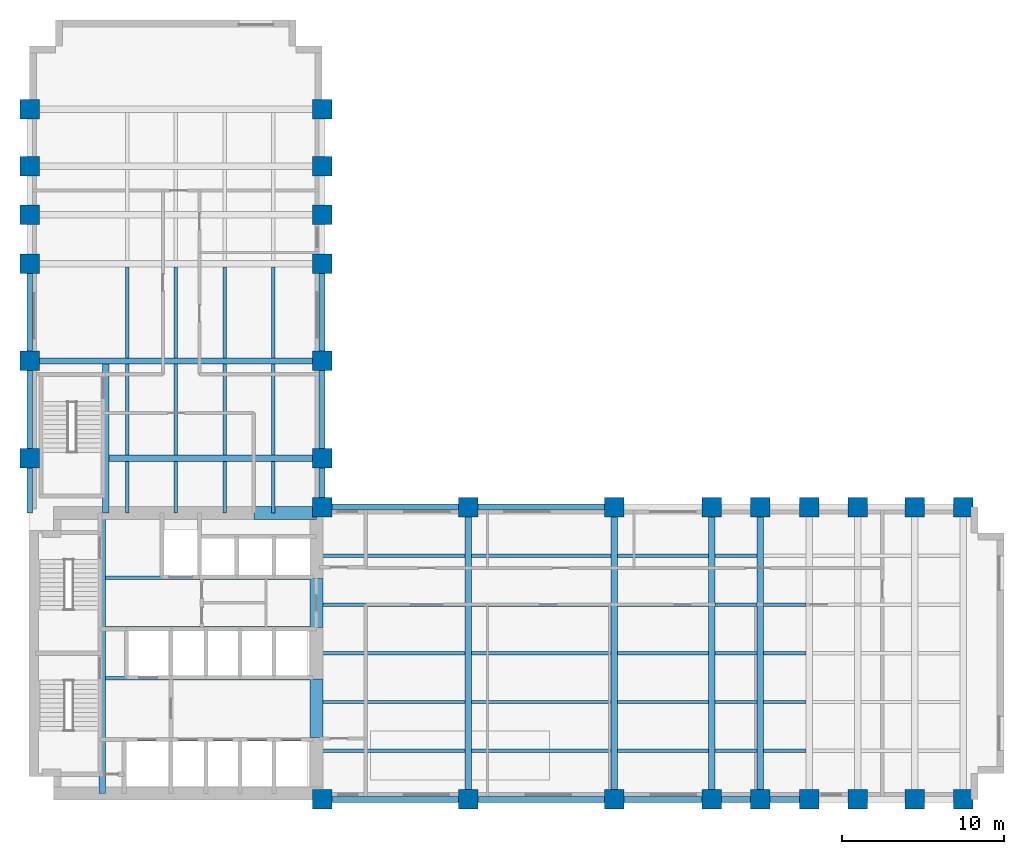
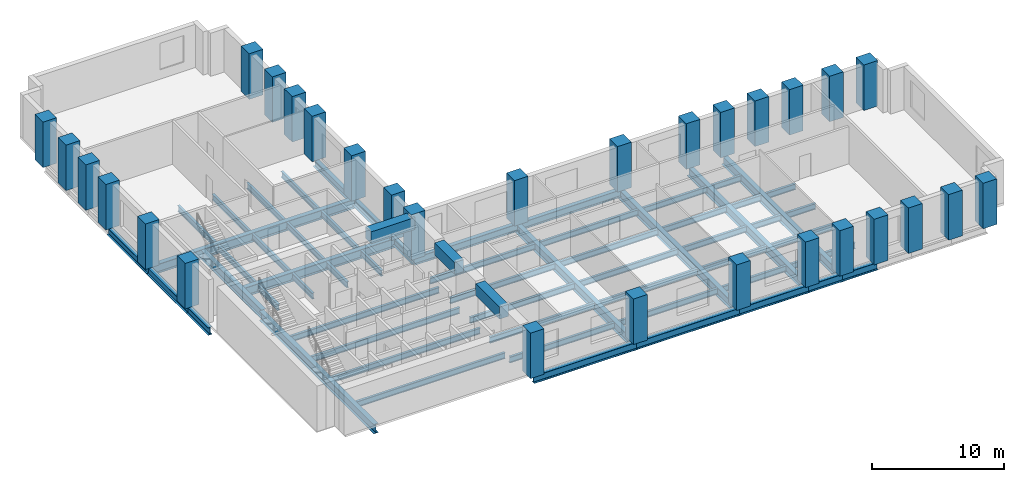
# One storey, part 1 of 7: 64 beams, 30 columns.
"""IFC4 building model written with IfcOpenShell, lengths in metres."""

from ifc_helpers import new_model, si_unit, direction, frame, origin, origin_2d, place, context, subcontext, project, spatial, rectangle, i_section, extrude, material, material_profile, profile_set, type_object, element, save


model = new_model("IFC4")

# Units and contexts
model_context = context("Model", 3, precision=1e-05, world=origin(), true_north=direction((0.0, 1.0)))
body_context = subcontext(model_context, "Body", "Model", "MODEL_VIEW")
ifc_project = project(units=[si_unit("LENGTHUNIT", "METRE"), si_unit("AREAUNIT", "SQUARE_METRE"), si_unit("VOLUMEUNIT", "CUBIC_METRE"), si_unit("PLANEANGLEUNIT", "RADIAN"), si_unit("MASSUNIT", "GRAM", prefix="KILO")], contexts=[model_context])

# Site, building, storey
site_placement = place(None, origin())
site = spatial("IfcSite", under=ifc_project, at=site_placement, CompositionType="ELEMENT")
building_placement = place(site_placement, origin())
building = spatial("IfcBuilding", under=site, at=building_placement, Name="Mawjdan Bourse Tower", CompositionType="ELEMENT")
storey_placement = place(building_placement, frame((0.0, 0.0, 67.800048828125)))
storey = spatial("IfcBuildingStorey", under=building, at=storey_placement, Name="L15", CompositionType="ELEMENT", Elevation=67.800048828125)

# Columns
ifc_material_1 = material(Name="Concrete C80/95", Category="concrete")
ifc_material_profile_1 = material_profile(ifc_material_1, rectangle(XDim=1.199951171875, YDim=1.199951171875, at=origin_2d()), Name="RC1200X1200")
ifc_profile_set_1 = profile_set([ifc_material_profile_1], Name="Concrete C80/95")
column_type = type_object("IfcColumnType", Name="COL-RC1200X1200", PredefinedType="COLUMN", material=ifc_profile_set_1)
for number, where, z_axis, x_axis, name in (
    (1, (24.0, 3.0, 0.0), (0.0, 0.0, 1.0), (1.0, 0.0, 0.0), "L15 Structural Column C-X240-Y30"),
    (2, (24.0, 21.0, 0.0), (0.0, 0.0, 1.0), (1.0, 0.0, 0.0), "L15 Structural Column C-X240-Y210"),
    (3, (33.0, 3.0, 0.0), (0.0, 0.0, 1.0), (1.0, 0.0, 0.0), "L15 Structural Column C-X330-Y30"),
    (4, (33.0, 21.0, 0.0), (0.0, 0.0, 1.0), (1.0, 0.0, 0.0), "L15 Structural Column C-X330-Y210"),
    (5, (42.0, 3.0, 0.0), (0.0, 0.0, 1.0), (1.0, 0.0, 0.0), "L15 Structural Column C-X420-Y30"),
    (6, (42.0, 21.0, 0.0), (0.0, 0.0, 1.0), (1.0, 0.0, 0.0), "L15 Structural Column C-X420-Y210"),
    (7, (48.0, 3.0, 0.0), (0.0, 0.0, 1.0), (1.0, 0.0, 0.0), "L15 Structural Column C-X480-Y30"),
    (8, (48.0, 21.0, 0.0), (0.0, 0.0, 1.0), (1.0, 0.0, 0.0), "L15 Structural Column C-X480-Y210"),
    (9, (51.0, 3.0, 0.0), (0.0, 0.0, 1.0), (1.0, 0.0, 0.0), "L15 Structural Column C-X510-Y30"),
    (10, (51.0, 21.0, 0.0), (0.0, 0.0, 1.0), (1.0, 0.0, 0.0), "L15 Structural Column C-X510-Y210"),
    (11, (54.0, 3.0, 0.0), (0.0, 0.0, 1.0), (1.0, 0.0, 0.0), "L15 Structural Column C-X540-Y30"),
    (12, (54.0, 21.0, 0.0), (0.0, 0.0, 1.0), (1.0, 0.0, 0.0), "L15 Structural Column C-X540-Y210"),
    (13, (57.0, 3.0, 0.0), (0.0, 0.0, 1.0), (1.0, 0.0, 0.0), "L15 Structural Column C-X570-Y30"),
    (14, (57.0, 21.0, 0.0), (0.0, 0.0, 1.0), (1.0, 0.0, 0.0), "L15 Structural Column C-X570-Y210"),
    (15, (60.5, 3.0, 0.0), (0.0, 0.0, 1.0), (1.0, 0.0, 0.0), "L15 Structural Column C-X605-Y30"),
    (16, (60.5, 21.0, 0.0), (0.0, 0.0, 1.0), (1.0, 0.0, 0.0), "L15 Structural Column C-X605-Y210"),
    (17, (63.5, 3.0, 0.0), (0.0, 0.0, 1.0), (1.0, 0.0, 0.0), "L15 Structural Column C-X635-Y30"),
    (18, (63.5, 21.0, 0.0), (0.0, 0.0, 1.0), (1.0, 0.0, 0.0), "L15 Structural Column C-X635-Y210"),
    (19, (6.0, 24.0, 0.0), (0.0, 0.0, 1.0), (1.0, 0.0, 0.0), "L15 Structural Column C-X60-Y240"),
    (20, (24.0, 24.0, 0.0), (0.0, 0.0, 1.0), (1.0, 0.0, 0.0), "L15 Structural Column C-X240-Y240"),
    (21, (6.0, 30.0, 0.0), (0.0, 0.0, 1.0), (1.0, 0.0, 0.0), "L15 Structural Column C-X60-Y300"),
    (22, (24.0, 30.0, 0.0), (0.0, 0.0, 1.0), (1.0, 0.0, 0.0), "L15 Structural Column C-X240-Y300"),
    (23, (6.0, 36.0, 0.0), (0.0, 0.0, 1.0), (1.0, 0.0, 0.0), "L15 Structural Column C-X60-Y360"),
    (24, (24.0, 36.0, 0.0), (0.0, 0.0, 1.0), (1.0, 0.0, 0.0), "L15 Structural Column C-X240-Y360"),
    (25, (6.0, 39.0, 0.0), (0.0, 0.0, 1.0), (1.0, 0.0, 0.0), "L15 Structural Column C-X60-Y390"),
    (26, (24.0, 39.0, 0.0), (0.0, 0.0, 1.0), (1.0, 0.0, 0.0), "L15 Structural Column C-X240-Y390"),
    (27, (6.0, 42.0, 0.0), (0.0, 0.0, 1.0), (1.0, 0.0, 0.0), "L15 Structural Column C-X60-Y420"),
    (28, (24.0, 42.0, 0.0), (0.0, 0.0, 1.0), (1.0, 0.0, 0.0), "L15 Structural Column C-X240-Y420"),
    (29, (6.0, 45.5, 0.0), (0.0, 0.0, 1.0), (1.0, 0.0, 0.0), "L15 Structural Column C-X60-Y455"),
    (30, (24.0, 45.5, 0.0), (0.0, 0.0, 1.0), (1.0, 0.0, 0.0), "L15 Structural Column C-X240-Y455"),
):
    element("IfcColumn", number, at=place(storey_placement, frame(where, z_axis=z_axis, x_axis=x_axis)), inside=storey, type_object=column_type, Name=name, PredefinedType="COLUMN", context=body_context, shape_type="SweptSolid", body=[
        extrude(rectangle(XDim=1.199951171875, YDim=1.199951171875, at=origin_2d()), origin(), (0.0, 0.0, 1.0), 4.199951171875),
    ])

# Beams
ifc_material_2 = material(Name="Structural Steel S355", Category="steel")
ifc_material_profile_2 = material_profile(ifc_material_2, i_section(OverallWidth=0.39892578125, OverallDepth=0.85595703125, WebThickness=0.018310546875, FlangeThickness=0.029296875, FilletRadius=0.0234375, at=origin_2d()), Name="W33X201")
ifc_profile_set_2 = profile_set([ifc_material_profile_2], Name="Structural Steel S355")
beam_type_1 = type_object("IfcBeamType", Name="GRD-W33X201", PredefinedType="BEAM", material=ifc_profile_set_2)
beam_1_placement = place(storey_placement, frame((10.47998046875, 3.35009765625, -0.64794921875), z_axis=(0.0, 1.0, 0.0), x_axis=(-1.0, 0.0, 0.0)))
element("IfcBeam", 31, at=beam_1_placement, inside=storey, type_object=beam_type_1, Name="L15 Core Stair Trimmer Girder 001", PredefinedType="BEAM", context=body_context, shape_type="SweptSolid", body=[
    extrude(i_section(OverallWidth=0.39892578125, OverallDepth=0.85595703125, WebThickness=0.018310546875, FlangeThickness=0.029296875, FilletRadius=0.0234375, at=origin_2d()), origin(), (0.0, 0.0, 1.0), 17.2998046875),
])
for number, where, z_axis, x_axis, name in (
    (32, (33.0, 3.0, -0.64794921875), (0.0, 1.0, 0.0), (-1.0, 0.0, 0.0), "L15 East Wing Clear-Span Girder 002"),
    (33, (42.0, 3.0, -0.64794921875), (0.0, 1.0, 0.0), (-1.0, 0.0, 0.0), "L15 East Wing Clear-Span Girder 003"),
    (34, (48.0, 3.0, -0.64794921875), (0.0, 1.0, 0.0), (-1.0, 0.0, 0.0), "L15 East Wing Clear-Span Girder 004"),
    (35, (51.0, 3.0, -0.64794921875), (0.0, 1.0, 0.0), (-1.0, 0.0, 0.0), "L15 East Wing Clear-Span Girder 005"),
):
    element("IfcBeam", number, at=place(storey_placement, frame(where, z_axis=z_axis, x_axis=x_axis)), inside=storey, type_object=beam_type_1, Name=name, PredefinedType="BEAM", context=body_context, shape_type="SweptSolid", body=[
        extrude(i_section(OverallWidth=0.39892578125, OverallDepth=0.85595703125, WebThickness=0.018310546875, FlangeThickness=0.029296875, FilletRadius=0.0234375, at=origin_2d()), origin(), (0.0, 0.0, 1.0), 18.0),
    ])
beam_2_placement = place(storey_placement, frame((10.679931640625, 20.64990234375, -0.64794921875), z_axis=(0.0, 1.0, 0.0), x_axis=(-1.0, 0.0, 0.0)))
element("IfcBeam", 36, at=beam_2_placement, inside=storey, type_object=beam_type_1, Name="L15 North Wing Stair Trimmer Girder 070", PredefinedType="BEAM", context=body_context, shape_type="SweptSolid", body=[
    extrude(i_section(OverallWidth=0.39892578125, OverallDepth=0.85595703125, WebThickness=0.018310546875, FlangeThickness=0.029296875, FilletRadius=0.0234375, at=origin_2d()), origin(), (0.0, 0.0, 1.0), 9.152587890625),
])
beam_3_placement = place(storey_placement, frame((10.87744140625, 24.0, -0.64794921875), z_axis=(1.0, 0.0, 0.0), x_axis=(0.0, 1.0, 0.0)))
element("IfcBeam", 37, at=beam_3_placement, inside=storey, type_object=beam_type_1, Name="L15 North Wing Clear-Span Girder 071", PredefinedType="BEAM", context=body_context, shape_type="SweptSolid", body=[
    extrude(i_section(OverallWidth=0.39892578125, OverallDepth=0.85595703125, WebThickness=0.018310546875, FlangeThickness=0.029296875, FilletRadius=0.0234375, at=origin_2d()), origin(), (0.0, 0.0, 1.0), 13.12255859375),
])
beam_4_placement = place(storey_placement, frame((6.0, 30.0, -0.64794921875), z_axis=(1.0, 0.0, 0.0), x_axis=(0.0, 1.0, 0.0)))
element("IfcBeam", 38, at=beam_4_placement, inside=storey, type_object=beam_type_1, Name="L15 North Wing Clear-Span Girder 072", PredefinedType="BEAM", context=body_context, shape_type="SweptSolid", body=[
    extrude(i_section(OverallWidth=0.39892578125, OverallDepth=0.85595703125, WebThickness=0.018310546875, FlangeThickness=0.029296875, FilletRadius=0.0234375, at=origin_2d()), origin(), (0.0, 0.0, 1.0), 18.0),
])
ifc_material_profile_3 = material_profile(ifc_material_2, i_section(OverallWidth=0.2119140625, OverallDepth=0.5439453125, WebThickness=0.01318359375, FlangeThickness=0.021240234375, FilletRadius=0.01708984375, at=origin_2d()), Name="W21X83")
ifc_profile_set_3 = profile_set([ifc_material_profile_3], Name="Structural Steel S355")
beam_type_2 = type_object("IfcBeamType", Name="JST-W21X83", PredefinedType="JOIST", material=ifc_profile_set_3)
beam_5_placement = place(storey_placement, frame((23.64990234375, 6.0, -0.491943359375), z_axis=(1.0, 0.0, 0.0), x_axis=(0.0, 1.0, 0.0)))
element("IfcBeam", 39, at=beam_5_placement, inside=storey, type_object=beam_type_2, Name="L15 East Wing Composite Joist 026", PredefinedType="JOIST", context=body_context, shape_type="SweptSolid", body=[
    extrude(i_section(OverallWidth=0.2119140625, OverallDepth=0.5439453125, WebThickness=0.01318359375, FlangeThickness=0.021240234375, FilletRadius=0.01708984375, at=origin_2d()), origin(), (0.0, 0.0, 1.0), 9.152587890625),
])
beam_6_placement = place(storey_placement, frame((33.197509765625, 6.0, -0.491943359375), z_axis=(1.0, 0.0, 0.0), x_axis=(0.0, 1.0, 0.0)))
element("IfcBeam", 40, at=beam_6_placement, inside=storey, type_object=beam_type_2, Name="L15 East Wing Composite Joist 027", PredefinedType="JOIST", context=body_context, shape_type="SweptSolid", body=[
    extrude(i_section(OverallWidth=0.2119140625, OverallDepth=0.5439453125, WebThickness=0.01318359375, FlangeThickness=0.021240234375, FilletRadius=0.01708984375, at=origin_2d()), origin(), (0.0, 0.0, 1.0), 8.60498046875),
])
beam_7_placement = place(storey_placement, frame((42.197509765625, 6.0, -0.491943359375), z_axis=(1.0, 0.0, 0.0), x_axis=(0.0, 1.0, 0.0)))
element("IfcBeam", 41, at=beam_7_placement, inside=storey, type_object=beam_type_2, Name="L15 East Wing Composite Joist 028", PredefinedType="JOIST", context=body_context, shape_type="SweptSolid", body=[
    extrude(i_section(OverallWidth=0.2119140625, OverallDepth=0.5439453125, WebThickness=0.01318359375, FlangeThickness=0.021240234375, FilletRadius=0.01708984375, at=origin_2d()), origin(), (0.0, 0.0, 1.0), 5.60498046875),
])
for number, where, z_axis, x_axis, name in (
    (42, (48.197509765625, 6.0, -0.491943359375), (1.0, 0.0, 0.0), (0.0, 1.0, 0.0), "L15 East Wing Composite Joist 029"),
    (43, (51.197509765625, 6.0, -0.491943359375), (1.0, 0.0, 0.0), (0.0, 1.0, 0.0), "L15 East Wing Composite Joist 030"),
):
    element("IfcBeam", number, at=place(storey_placement, frame(where, z_axis=z_axis, x_axis=x_axis)), inside=storey, type_object=beam_type_2, Name=name, PredefinedType="JOIST", context=body_context, shape_type="SweptSolid", body=[
        extrude(i_section(OverallWidth=0.2119140625, OverallDepth=0.5439453125, WebThickness=0.01318359375, FlangeThickness=0.021240234375, FilletRadius=0.01708984375, at=origin_2d()), origin(), (0.0, 0.0, 1.0), 2.60498046875),
    ])
beam_8_placement = place(storey_placement, frame((23.64990234375, 9.0, -0.491943359375), z_axis=(1.0, 0.0, 0.0), x_axis=(0.0, 1.0, 0.0)))
element("IfcBeam", 44, at=beam_8_placement, inside=storey, type_object=beam_type_2, Name="L15 East Wing Composite Joist 034", PredefinedType="JOIST", context=body_context, shape_type="SweptSolid", body=[
    extrude(i_section(OverallWidth=0.2119140625, OverallDepth=0.5439453125, WebThickness=0.01318359375, FlangeThickness=0.021240234375, FilletRadius=0.01708984375, at=origin_2d()), origin(), (0.0, 0.0, 1.0), 9.152587890625),
])
beam_9_placement = place(storey_placement, frame((33.197509765625, 9.0, -0.491943359375), z_axis=(1.0, 0.0, 0.0), x_axis=(0.0, 1.0, 0.0)))
element("IfcBeam", 45, at=beam_9_placement, inside=storey, type_object=beam_type_2, Name="L15 East Wing Composite Joist 035", PredefinedType="JOIST", context=body_context, shape_type="SweptSolid", body=[
    extrude(i_section(OverallWidth=0.2119140625, OverallDepth=0.5439453125, WebThickness=0.01318359375, FlangeThickness=0.021240234375, FilletRadius=0.01708984375, at=origin_2d()), origin(), (0.0, 0.0, 1.0), 8.60498046875),
])
beam_10_placement = place(storey_placement, frame((42.197509765625, 9.0, -0.491943359375), z_axis=(1.0, 0.0, 0.0), x_axis=(0.0, 1.0, 0.0)))
element("IfcBeam", 46, at=beam_10_placement, inside=storey, type_object=beam_type_2, Name="L15 East Wing Composite Joist 036", PredefinedType="JOIST", context=body_context, shape_type="SweptSolid", body=[
    extrude(i_section(OverallWidth=0.2119140625, OverallDepth=0.5439453125, WebThickness=0.01318359375, FlangeThickness=0.021240234375, FilletRadius=0.01708984375, at=origin_2d()), origin(), (0.0, 0.0, 1.0), 5.60498046875),
])
for number, where, z_axis, x_axis, name in (
    (47, (48.197509765625, 9.0, -0.491943359375), (1.0, 0.0, 0.0), (0.0, 1.0, 0.0), "L15 East Wing Composite Joist 037"),
    (48, (51.197509765625, 9.0, -0.491943359375), (1.0, 0.0, 0.0), (0.0, 1.0, 0.0), "L15 East Wing Composite Joist 038"),
):
    element("IfcBeam", number, at=place(storey_placement, frame(where, z_axis=z_axis, x_axis=x_axis)), inside=storey, type_object=beam_type_2, Name=name, PredefinedType="JOIST", context=body_context, shape_type="SweptSolid", body=[
        extrude(i_section(OverallWidth=0.2119140625, OverallDepth=0.5439453125, WebThickness=0.01318359375, FlangeThickness=0.021240234375, FilletRadius=0.01708984375, at=origin_2d()), origin(), (0.0, 0.0, 1.0), 2.60498046875),
    ])
beam_11_placement = place(storey_placement, frame((23.64990234375, 12.0, -0.491943359375), z_axis=(1.0, 0.0, 0.0), x_axis=(0.0, 1.0, 0.0)))
element("IfcBeam", 49, at=beam_11_placement, inside=storey, type_object=beam_type_2, Name="L15 East Wing Composite Joist 042", PredefinedType="JOIST", context=body_context, shape_type="SweptSolid", body=[
    extrude(i_section(OverallWidth=0.2119140625, OverallDepth=0.5439453125, WebThickness=0.01318359375, FlangeThickness=0.021240234375, FilletRadius=0.01708984375, at=origin_2d()), origin(), (0.0, 0.0, 1.0), 9.152587890625),
])
beam_12_placement = place(storey_placement, frame((33.197509765625, 12.0, -0.491943359375), z_axis=(1.0, 0.0, 0.0), x_axis=(0.0, 1.0, 0.0)))
element("IfcBeam", 50, at=beam_12_placement, inside=storey, type_object=beam_type_2, Name="L15 East Wing Composite Joist 043", PredefinedType="JOIST", context=body_context, shape_type="SweptSolid", body=[
    extrude(i_section(OverallWidth=0.2119140625, OverallDepth=0.5439453125, WebThickness=0.01318359375, FlangeThickness=0.021240234375, FilletRadius=0.01708984375, at=origin_2d()), origin(), (0.0, 0.0, 1.0), 8.60498046875),
])
beam_13_placement = place(storey_placement, frame((42.197509765625, 12.0, -0.491943359375), z_axis=(1.0, 0.0, 0.0), x_axis=(0.0, 1.0, 0.0)))
element("IfcBeam", 51, at=beam_13_placement, inside=storey, type_object=beam_type_2, Name="L15 East Wing Composite Joist 044", PredefinedType="JOIST", context=body_context, shape_type="SweptSolid", body=[
    extrude(i_section(OverallWidth=0.2119140625, OverallDepth=0.5439453125, WebThickness=0.01318359375, FlangeThickness=0.021240234375, FilletRadius=0.01708984375, at=origin_2d()), origin(), (0.0, 0.0, 1.0), 5.60498046875),
])
for number, where, z_axis, x_axis, name in (
    (52, (48.197509765625, 12.0, -0.491943359375), (1.0, 0.0, 0.0), (0.0, 1.0, 0.0), "L15 East Wing Composite Joist 045"),
    (53, (51.197509765625, 12.0, -0.491943359375), (1.0, 0.0, 0.0), (0.0, 1.0, 0.0), "L15 East Wing Composite Joist 046"),
):
    element("IfcBeam", number, at=place(storey_placement, frame(where, z_axis=z_axis, x_axis=x_axis)), inside=storey, type_object=beam_type_2, Name=name, PredefinedType="JOIST", context=body_context, shape_type="SweptSolid", body=[
        extrude(i_section(OverallWidth=0.2119140625, OverallDepth=0.5439453125, WebThickness=0.01318359375, FlangeThickness=0.021240234375, FilletRadius=0.01708984375, at=origin_2d()), origin(), (0.0, 0.0, 1.0), 2.60498046875),
    ])
beam_14_placement = place(storey_placement, frame((23.64990234375, 15.0, -0.491943359375), z_axis=(1.0, 0.0, 0.0), x_axis=(0.0, 1.0, 0.0)))
element("IfcBeam", 54, at=beam_14_placement, inside=storey, type_object=beam_type_2, Name="L15 East Wing Composite Joist 050", PredefinedType="JOIST", context=body_context, shape_type="SweptSolid", body=[
    extrude(i_section(OverallWidth=0.2119140625, OverallDepth=0.5439453125, WebThickness=0.01318359375, FlangeThickness=0.021240234375, FilletRadius=0.01708984375, at=origin_2d()), origin(), (0.0, 0.0, 1.0), 9.152587890625),
])
beam_15_placement = place(storey_placement, frame((33.197509765625, 15.0, -0.491943359375), z_axis=(1.0, 0.0, 0.0), x_axis=(0.0, 1.0, 0.0)))
element("IfcBeam", 55, at=beam_15_placement, inside=storey, type_object=beam_type_2, Name="L15 East Wing Composite Joist 051", PredefinedType="JOIST", context=body_context, shape_type="SweptSolid", body=[
    extrude(i_section(OverallWidth=0.2119140625, OverallDepth=0.5439453125, WebThickness=0.01318359375, FlangeThickness=0.021240234375, FilletRadius=0.01708984375, at=origin_2d()), origin(), (0.0, 0.0, 1.0), 8.60498046875),
])
beam_16_placement = place(storey_placement, frame((42.197509765625, 15.0, -0.491943359375), z_axis=(1.0, 0.0, 0.0), x_axis=(0.0, 1.0, 0.0)))
element("IfcBeam", 56, at=beam_16_placement, inside=storey, type_object=beam_type_2, Name="L15 East Wing Composite Joist 052", PredefinedType="JOIST", context=body_context, shape_type="SweptSolid", body=[
    extrude(i_section(OverallWidth=0.2119140625, OverallDepth=0.5439453125, WebThickness=0.01318359375, FlangeThickness=0.021240234375, FilletRadius=0.01708984375, at=origin_2d()), origin(), (0.0, 0.0, 1.0), 5.60498046875),
])
for number, where, z_axis, x_axis, name in (
    (57, (48.197509765625, 15.0, -0.491943359375), (1.0, 0.0, 0.0), (0.0, 1.0, 0.0), "L15 East Wing Composite Joist 053"),
    (58, (51.197509765625, 15.0, -0.491943359375), (1.0, 0.0, 0.0), (0.0, 1.0, 0.0), "L15 East Wing Composite Joist 054"),
):
    element("IfcBeam", number, at=place(storey_placement, frame(where, z_axis=z_axis, x_axis=x_axis)), inside=storey, type_object=beam_type_2, Name=name, PredefinedType="JOIST", context=body_context, shape_type="SweptSolid", body=[
        extrude(i_section(OverallWidth=0.2119140625, OverallDepth=0.5439453125, WebThickness=0.01318359375, FlangeThickness=0.021240234375, FilletRadius=0.01708984375, at=origin_2d()), origin(), (0.0, 0.0, 1.0), 2.60498046875),
    ])
beam_17_placement = place(storey_placement, frame((23.64990234375, 18.0, -0.491943359375), z_axis=(1.0, 0.0, 0.0), x_axis=(0.0, 1.0, 0.0)))
element("IfcBeam", 59, at=beam_17_placement, inside=storey, type_object=beam_type_2, Name="L15 East Wing Composite Joist 058", PredefinedType="JOIST", context=body_context, shape_type="SweptSolid", body=[
    extrude(i_section(OverallWidth=0.2119140625, OverallDepth=0.5439453125, WebThickness=0.01318359375, FlangeThickness=0.021240234375, FilletRadius=0.01708984375, at=origin_2d()), origin(), (0.0, 0.0, 1.0), 9.152587890625),
])
beam_18_placement = place(storey_placement, frame((33.197509765625, 18.0, -0.491943359375), z_axis=(1.0, 0.0, 0.0), x_axis=(0.0, 1.0, 0.0)))
element("IfcBeam", 60, at=beam_18_placement, inside=storey, type_object=beam_type_2, Name="L15 East Wing Composite Joist 059", PredefinedType="JOIST", context=body_context, shape_type="SweptSolid", body=[
    extrude(i_section(OverallWidth=0.2119140625, OverallDepth=0.5439453125, WebThickness=0.01318359375, FlangeThickness=0.021240234375, FilletRadius=0.01708984375, at=origin_2d()), origin(), (0.0, 0.0, 1.0), 8.60498046875),
])
beam_19_placement = place(storey_placement, frame((42.197509765625, 18.0, -0.491943359375), z_axis=(1.0, 0.0, 0.0), x_axis=(0.0, 1.0, 0.0)))
element("IfcBeam", 61, at=beam_19_placement, inside=storey, type_object=beam_type_2, Name="L15 East Wing Composite Joist 060", PredefinedType="JOIST", context=body_context, shape_type="SweptSolid", body=[
    extrude(i_section(OverallWidth=0.2119140625, OverallDepth=0.5439453125, WebThickness=0.01318359375, FlangeThickness=0.021240234375, FilletRadius=0.01708984375, at=origin_2d()), origin(), (0.0, 0.0, 1.0), 5.60498046875),
])
beam_20_placement = place(storey_placement, frame((48.197509765625, 18.0, -0.491943359375), z_axis=(1.0, 0.0, 0.0), x_axis=(0.0, 1.0, 0.0)))
element("IfcBeam", 62, at=beam_20_placement, inside=storey, type_object=beam_type_2, Name="L15 East Wing Composite Joist 061", PredefinedType="JOIST", context=body_context, shape_type="SweptSolid", body=[
    extrude(i_section(OverallWidth=0.2119140625, OverallDepth=0.5439453125, WebThickness=0.01318359375, FlangeThickness=0.021240234375, FilletRadius=0.01708984375, at=origin_2d()), origin(), (0.0, 0.0, 1.0), 2.60498046875),
])
for number, where, z_axis, x_axis, name in (
    (63, (10.677490234375, 6.699951171875, -0.491943359375), (1.0, 0.0, 0.0), (0.0, 1.0, 0.0), "L15 Core Floor Joist 066"),
    (64, (10.677490234375, 10.449951171875, -0.491943359375), (1.0, 0.0, 0.0), (0.0, 1.0, 0.0), "L15 Core Floor Joist 067"),
    (65, (10.677490234375, 13.550048828125, -0.491943359375), (1.0, 0.0, 0.0), (0.0, 1.0, 0.0), "L15 Core Floor Joist 068"),
    (66, (10.677490234375, 16.64990234375, -0.491943359375), (1.0, 0.0, 0.0), (0.0, 1.0, 0.0), "L15 Core Floor Joist 069"),
):
    element("IfcBeam", number, at=place(storey_placement, frame(where, z_axis=z_axis, x_axis=x_axis)), inside=storey, type_object=beam_type_2, Name=name, PredefinedType="JOIST", context=body_context, shape_type="SweptSolid", body=[
        extrude(i_section(OverallWidth=0.2119140625, OverallDepth=0.5439453125, WebThickness=0.01318359375, FlangeThickness=0.021240234375, FilletRadius=0.01708984375, at=origin_2d()), origin(), (0.0, 0.0, 1.0), 12.972412109375),
    ])
beam_21_placement = place(storey_placement, frame((12.0, 20.64990234375, -0.491943359375), z_axis=(0.0, 1.0, 0.0), x_axis=(-1.0, 0.0, 0.0)))
element("IfcBeam", 67, at=beam_21_placement, inside=storey, type_object=beam_type_2, Name="L15 North Wing Composite Joist 089", PredefinedType="JOIST", context=body_context, shape_type="SweptSolid", body=[
    extrude(i_section(OverallWidth=0.2119140625, OverallDepth=0.5439453125, WebThickness=0.01318359375, FlangeThickness=0.021240234375, FilletRadius=0.01708984375, at=origin_2d()), origin(), (0.0, 0.0, 1.0), 3.152587890625),
])
for number, where, z_axis, x_axis, name in (
    (68, (12.0, 24.197509765625, -0.491943359375), (0.0, 1.0, 0.0), (-1.0, 0.0, 0.0), "L15 North Wing Composite Joist 090"),
    (69, (12.0, 30.197509765625, -0.491943359375), (0.0, 1.0, 0.0), (-1.0, 0.0, 0.0), "L15 North Wing Composite Joist 091"),
):
    element("IfcBeam", number, at=place(storey_placement, frame(where, z_axis=z_axis, x_axis=x_axis)), inside=storey, type_object=beam_type_2, Name=name, PredefinedType="JOIST", context=body_context, shape_type="SweptSolid", body=[
        extrude(i_section(OverallWidth=0.2119140625, OverallDepth=0.5439453125, WebThickness=0.01318359375, FlangeThickness=0.021240234375, FilletRadius=0.01708984375, at=origin_2d()), origin(), (0.0, 0.0, 1.0), 5.60498046875),
    ])
beam_22_placement = place(storey_placement, frame((15.0, 20.64990234375, -0.491943359375), z_axis=(0.0, 1.0, 0.0), x_axis=(-1.0, 0.0, 0.0)))
element("IfcBeam", 70, at=beam_22_placement, inside=storey, type_object=beam_type_2, Name="L15 North Wing Composite Joist 095", PredefinedType="JOIST", context=body_context, shape_type="SweptSolid", body=[
    extrude(i_section(OverallWidth=0.2119140625, OverallDepth=0.5439453125, WebThickness=0.01318359375, FlangeThickness=0.021240234375, FilletRadius=0.01708984375, at=origin_2d()), origin(), (0.0, 0.0, 1.0), 3.152587890625),
])
for number, where, z_axis, x_axis, name in (
    (71, (15.0, 24.197509765625, -0.491943359375), (0.0, 1.0, 0.0), (-1.0, 0.0, 0.0), "L15 North Wing Composite Joist 096"),
    (72, (15.0, 30.197509765625, -0.491943359375), (0.0, 1.0, 0.0), (-1.0, 0.0, 0.0), "L15 North Wing Composite Joist 097"),
):
    element("IfcBeam", number, at=place(storey_placement, frame(where, z_axis=z_axis, x_axis=x_axis)), inside=storey, type_object=beam_type_2, Name=name, PredefinedType="JOIST", context=body_context, shape_type="SweptSolid", body=[
        extrude(i_section(OverallWidth=0.2119140625, OverallDepth=0.5439453125, WebThickness=0.01318359375, FlangeThickness=0.021240234375, FilletRadius=0.01708984375, at=origin_2d()), origin(), (0.0, 0.0, 1.0), 5.60498046875),
    ])
beam_23_placement = place(storey_placement, frame((18.0, 20.64990234375, -0.491943359375), z_axis=(0.0, 1.0, 0.0), x_axis=(-1.0, 0.0, 0.0)))
element("IfcBeam", 73, at=beam_23_placement, inside=storey, type_object=beam_type_2, Name="L15 North Wing Composite Joist 101", PredefinedType="JOIST", context=body_context, shape_type="SweptSolid", body=[
    extrude(i_section(OverallWidth=0.2119140625, OverallDepth=0.5439453125, WebThickness=0.01318359375, FlangeThickness=0.021240234375, FilletRadius=0.01708984375, at=origin_2d()), origin(), (0.0, 0.0, 1.0), 3.152587890625),
])
for number, where, z_axis, x_axis, name in (
    (74, (18.0, 24.197509765625, -0.491943359375), (0.0, 1.0, 0.0), (-1.0, 0.0, 0.0), "L15 North Wing Composite Joist 102"),
    (75, (18.0, 30.197509765625, -0.491943359375), (0.0, 1.0, 0.0), (-1.0, 0.0, 0.0), "L15 North Wing Composite Joist 103"),
):
    element("IfcBeam", number, at=place(storey_placement, frame(where, z_axis=z_axis, x_axis=x_axis)), inside=storey, type_object=beam_type_2, Name=name, PredefinedType="JOIST", context=body_context, shape_type="SweptSolid", body=[
        extrude(i_section(OverallWidth=0.2119140625, OverallDepth=0.5439453125, WebThickness=0.01318359375, FlangeThickness=0.021240234375, FilletRadius=0.01708984375, at=origin_2d()), origin(), (0.0, 0.0, 1.0), 5.60498046875),
    ])
beam_24_placement = place(storey_placement, frame((21.0, 20.64990234375, -0.491943359375), z_axis=(0.0, 1.0, 0.0), x_axis=(-1.0, 0.0, 0.0)))
element("IfcBeam", 76, at=beam_24_placement, inside=storey, type_object=beam_type_2, Name="L15 North Wing Composite Joist 107", PredefinedType="JOIST", context=body_context, shape_type="SweptSolid", body=[
    extrude(i_section(OverallWidth=0.2119140625, OverallDepth=0.5439453125, WebThickness=0.01318359375, FlangeThickness=0.021240234375, FilletRadius=0.01708984375, at=origin_2d()), origin(), (0.0, 0.0, 1.0), 3.152587890625),
])
for number, where, z_axis, x_axis, name in (
    (77, (21.0, 24.197509765625, -0.491943359375), (0.0, 1.0, 0.0), (-1.0, 0.0, 0.0), "L15 North Wing Composite Joist 108"),
    (78, (21.0, 30.197509765625, -0.491943359375), (0.0, 1.0, 0.0), (-1.0, 0.0, 0.0), "L15 North Wing Composite Joist 109"),
):
    element("IfcBeam", number, at=place(storey_placement, frame(where, z_axis=z_axis, x_axis=x_axis)), inside=storey, type_object=beam_type_2, Name=name, PredefinedType="JOIST", context=body_context, shape_type="SweptSolid", body=[
        extrude(i_section(OverallWidth=0.2119140625, OverallDepth=0.5439453125, WebThickness=0.01318359375, FlangeThickness=0.021240234375, FilletRadius=0.01708984375, at=origin_2d()), origin(), (0.0, 0.0, 1.0), 5.60498046875),
    ])
ifc_material_3 = material(Name="Concrete C70/85", Category="concrete")
ifc_material_profile_4 = material_profile(ifc_material_3, rectangle(XDim=0.800048828125, YDim=1.10009765625, at=origin_2d()), Name="RCB800X1100")
ifc_profile_set_4 = profile_set([ifc_material_profile_4], Name="Concrete C70/85")
beam_type_3 = type_object("IfcBeamType", Name="LNT-RCB800X1100", PredefinedType="LINTEL", material=ifc_profile_set_4)
beam_25_placement = place(storey_placement, frame((23.64990234375, 6.800048828125, 3.429931640625), z_axis=(0.0, 1.0, 0.0), x_axis=(-1.0, 0.0, 0.0)))
element("IfcBeam", 79, at=beam_25_placement, inside=storey, type_object=beam_type_3, Name="L15 Coupled Core Lintel CB-E1", PredefinedType="LINTEL", context=body_context, shape_type="SweptSolid", body=[
    extrude(rectangle(XDim=0.800048828125, YDim=1.10009765625, at=origin_2d()), origin(), (0.0, 0.0, 1.0), 3.599853515625),
])
beam_26_placement = place(storey_placement, frame((23.64990234375, 13.60009765625, 3.429931640625), z_axis=(0.0, 1.0, 0.0), x_axis=(-1.0, 0.0, 0.0)))
element("IfcBeam", 80, at=beam_26_placement, inside=storey, type_object=beam_type_3, Name="L15 Coupled Core Lintel CB-E2", PredefinedType="LINTEL", context=body_context, shape_type="SweptSolid", body=[
    extrude(rectangle(XDim=0.800048828125, YDim=1.10009765625, at=origin_2d()), origin(), (0.0, 0.0, 1.0), 3.0),
])
beam_27_placement = place(storey_placement, frame((19.800048828125, 20.64990234375, 3.429931640625), z_axis=(1.0, 0.0, 0.0), x_axis=(0.0, 1.0, 0.0)))
element("IfcBeam", 81, at=beam_27_placement, inside=storey, type_object=beam_type_3, Name="L15 Coupled Core Lintel CB-N1", PredefinedType="LINTEL", context=body_context, shape_type="SweptSolid", body=[
    extrude(rectangle(XDim=0.800048828125, YDim=1.10009765625, at=origin_2d()), origin(), (0.0, 0.0, 1.0), 3.849853515625),
])
ifc_material_profile_5 = material_profile(ifc_material_2, i_section(OverallWidth=0.35498046875, OverallDepth=0.696044921875, WebThickness=0.015380859375, FlangeThickness=0.02490234375, FilletRadius=0.019775390625, at=origin_2d()), Name="W27X146")
ifc_profile_set_5 = profile_set([ifc_material_profile_5], Name="Structural Steel S355")
beam_type_4 = type_object("IfcBeamType", Name="SPN-W27X146", PredefinedType="SPANDREL", material=ifc_profile_set_5)
for number, where, z_axis, x_axis, name in (
    (82, (24.0, 3.0, -0.568115234375), (1.0, 0.0, 0.0), (0.0, 1.0, 0.0), "L15 Perimeter Masonry-Shelf Spandrel 010"),
    (83, (33.0, 3.0, -0.568115234375), (1.0, 0.0, 0.0), (0.0, 1.0, 0.0), "L15 Perimeter Masonry-Shelf Spandrel 011"),
):
    element("IfcBeam", number, at=place(storey_placement, frame(where, z_axis=z_axis, x_axis=x_axis)), inside=storey, type_object=beam_type_4, Name=name, PredefinedType="SPANDREL", context=body_context, shape_type="SweptSolid", body=[
        extrude(i_section(OverallWidth=0.35498046875, OverallDepth=0.696044921875, WebThickness=0.015380859375, FlangeThickness=0.02490234375, FilletRadius=0.019775390625, at=origin_2d()), origin(), (0.0, 0.0, 1.0), 9.0),
    ])
beam_28_placement = place(storey_placement, frame((42.0, 3.0, -0.568115234375), z_axis=(1.0, 0.0, 0.0), x_axis=(0.0, 1.0, 0.0)))
element("IfcBeam", 84, at=beam_28_placement, inside=storey, type_object=beam_type_4, Name="L15 Perimeter Masonry-Shelf Spandrel 012", PredefinedType="SPANDREL", context=body_context, shape_type="SweptSolid", body=[
    extrude(i_section(OverallWidth=0.35498046875, OverallDepth=0.696044921875, WebThickness=0.015380859375, FlangeThickness=0.02490234375, FilletRadius=0.019775390625, at=origin_2d()), origin(), (0.0, 0.0, 1.0), 6.0),
])
for number, where, z_axis, x_axis, name in (
    (85, (48.0, 3.0, -0.568115234375), (1.0, 0.0, 0.0), (0.0, 1.0, 0.0), "L15 Perimeter Masonry-Shelf Spandrel 013"),
    (86, (51.0, 3.0, -0.568115234375), (1.0, 0.0, 0.0), (0.0, 1.0, 0.0), "L15 Perimeter Masonry-Shelf Spandrel 014"),
):
    element("IfcBeam", number, at=place(storey_placement, frame(where, z_axis=z_axis, x_axis=x_axis)), inside=storey, type_object=beam_type_4, Name=name, PredefinedType="SPANDREL", context=body_context, shape_type="SweptSolid", body=[
        extrude(i_section(OverallWidth=0.35498046875, OverallDepth=0.696044921875, WebThickness=0.015380859375, FlangeThickness=0.02490234375, FilletRadius=0.019775390625, at=origin_2d()), origin(), (0.0, 0.0, 1.0), 3.0),
    ])
for number, where, z_axis, x_axis, name in (
    (87, (24.0, 21.0, -0.568115234375), (1.0, 0.0, 0.0), (0.0, 1.0, 0.0), "L15 Perimeter Masonry-Shelf Spandrel 018"),
    (88, (33.0, 21.0, -0.568115234375), (1.0, 0.0, 0.0), (0.0, 1.0, 0.0), "L15 Perimeter Masonry-Shelf Spandrel 019"),
):
    element("IfcBeam", number, at=place(storey_placement, frame(where, z_axis=z_axis, x_axis=x_axis)), inside=storey, type_object=beam_type_4, Name=name, PredefinedType="SPANDREL", context=body_context, shape_type="SweptSolid", body=[
        extrude(i_section(OverallWidth=0.35498046875, OverallDepth=0.696044921875, WebThickness=0.015380859375, FlangeThickness=0.02490234375, FilletRadius=0.019775390625, at=origin_2d()), origin(), (0.0, 0.0, 1.0), 9.0),
    ])
beam_29_placement = place(storey_placement, frame((6.0, 20.64990234375, -0.568115234375), z_axis=(0.0, 1.0, 0.0), x_axis=(-1.0, 0.0, 0.0)))
element("IfcBeam", 89, at=beam_29_placement, inside=storey, type_object=beam_type_4, Name="L15 North Wing Spandrel 077", PredefinedType="SPANDREL", context=body_context, shape_type="SweptSolid", body=[
    extrude(i_section(OverallWidth=0.35498046875, OverallDepth=0.696044921875, WebThickness=0.015380859375, FlangeThickness=0.02490234375, FilletRadius=0.019775390625, at=origin_2d()), origin(), (0.0, 0.0, 1.0), 3.35009765625),
])
for number, where, z_axis, x_axis, name in (
    (90, (6.0, 24.0, -0.568115234375), (0.0, 1.0, 0.0), (-1.0, 0.0, 0.0), "L15 North Wing Spandrel 078"),
    (91, (6.0, 30.0, -0.568115234375), (0.0, 1.0, 0.0), (-1.0, 0.0, 0.0), "L15 North Wing Spandrel 079"),
):
    element("IfcBeam", number, at=place(storey_placement, frame(where, z_axis=z_axis, x_axis=x_axis)), inside=storey, type_object=beam_type_4, Name=name, PredefinedType="SPANDREL", context=body_context, shape_type="SweptSolid", body=[
        extrude(i_section(OverallWidth=0.35498046875, OverallDepth=0.696044921875, WebThickness=0.015380859375, FlangeThickness=0.02490234375, FilletRadius=0.019775390625, at=origin_2d()), origin(), (0.0, 0.0, 1.0), 6.0),
    ])
beam_30_placement = place(storey_placement, frame((24.0, 21.0, -0.568115234375), z_axis=(0.0, 1.0, 0.0), x_axis=(-1.0, 0.0, 0.0)))
element("IfcBeam", 92, at=beam_30_placement, inside=storey, type_object=beam_type_4, Name="L15 North Wing Spandrel 083", PredefinedType="SPANDREL", context=body_context, shape_type="SweptSolid", body=[
    extrude(i_section(OverallWidth=0.35498046875, OverallDepth=0.696044921875, WebThickness=0.015380859375, FlangeThickness=0.02490234375, FilletRadius=0.019775390625, at=origin_2d()), origin(), (0.0, 0.0, 1.0), 3.0),
])
for number, where, z_axis, x_axis, name in (
    (93, (24.0, 24.0, -0.568115234375), (0.0, 1.0, 0.0), (-1.0, 0.0, 0.0), "L15 North Wing Spandrel 084"),
    (94, (24.0, 30.0, -0.568115234375), (0.0, 1.0, 0.0), (-1.0, 0.0, 0.0), "L15 North Wing Spandrel 085"),
):
    element("IfcBeam", number, at=place(storey_placement, frame(where, z_axis=z_axis, x_axis=x_axis)), inside=storey, type_object=beam_type_4, Name=name, PredefinedType="SPANDREL", context=body_context, shape_type="SweptSolid", body=[
        extrude(i_section(OverallWidth=0.35498046875, OverallDepth=0.696044921875, WebThickness=0.015380859375, FlangeThickness=0.02490234375, FilletRadius=0.019775390625, at=origin_2d()), origin(), (0.0, 0.0, 1.0), 6.0),
    ])

save(model, "model.ifc")
